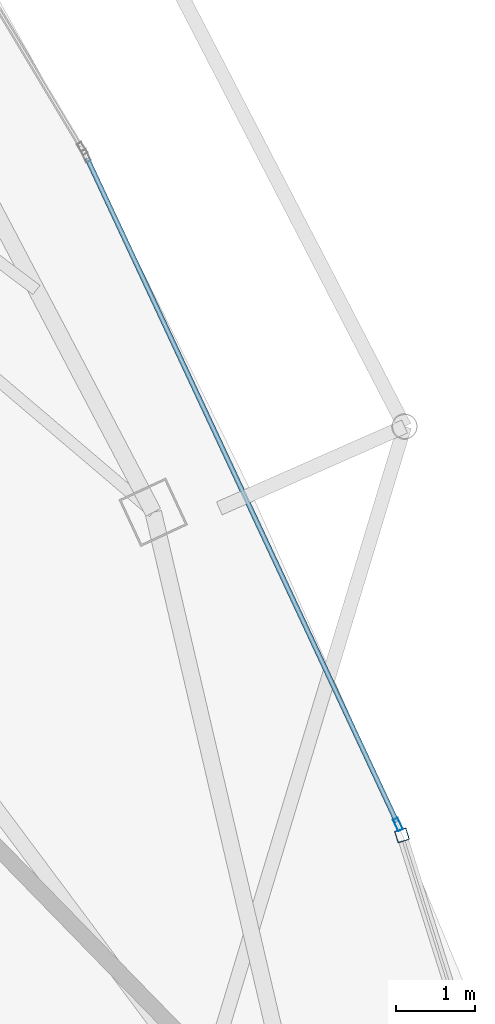
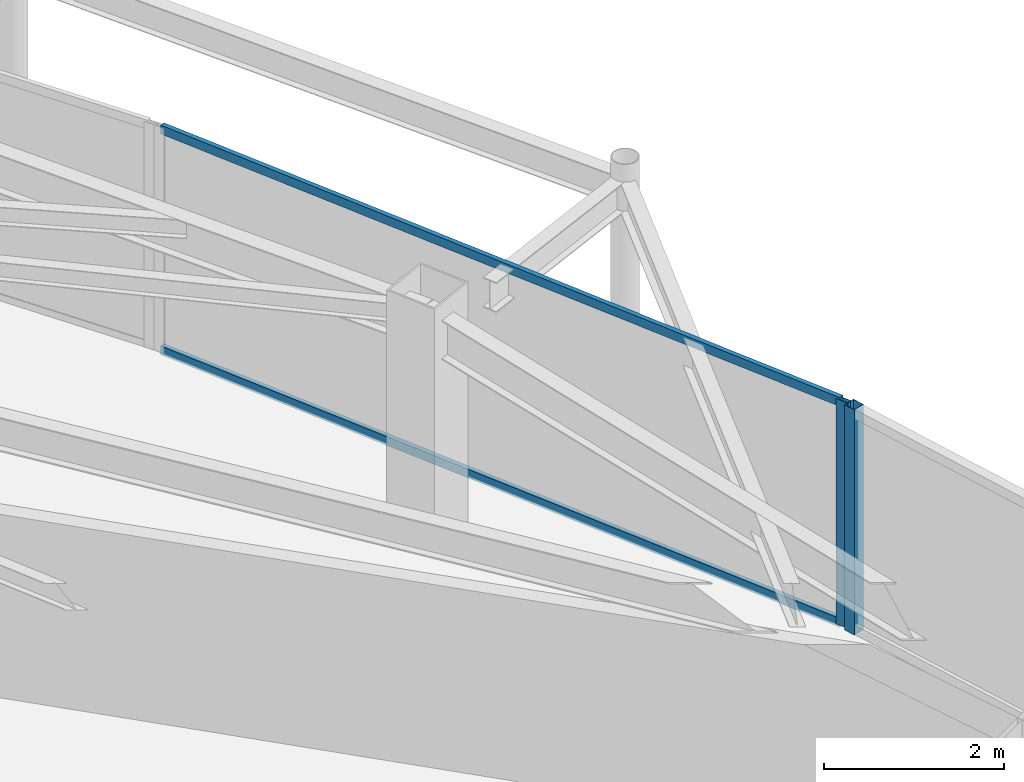
# One storey, part 16 of 30: 4 members, 2 elements without a shape of their own.
"""IFC4 building model written with IfcOpenShell, lengths in metres."""

from ifc_helpers import new_model, si_unit, direction, frame, origin, origin_2d, place, context, subcontext, project, spatial, hollow_rectangle, extrude, material, layer, layer_set, material_profile, profile_set, type_object, element, aggregate, save


model = new_model("IFC4")

# Units and contexts
model_context = context("Model", 3, precision=1e-05, world=origin(), true_north=direction((0.0, 1.0)))
body_context = subcontext(model_context, "Body", "Model", "MODEL_VIEW")
ifc_project = project(units=[si_unit("LENGTHUNIT", "METRE"), si_unit("AREAUNIT", "SQUARE_METRE"), si_unit("VOLUMEUNIT", "CUBIC_METRE"), si_unit("PLANEANGLEUNIT", "RADIAN"), si_unit("MASSUNIT", "GRAM", prefix="KILO")], contexts=[model_context])

# Site, building, storey
site_placement = place(None, origin())
site = spatial("IfcSite", under=ifc_project, at=site_placement, CompositionType="ELEMENT")
building_placement = place(site_placement, origin())
building = spatial("IfcBuilding", under=site, at=building_placement, Name="Orvanel Arch Residences", CompositionType="ELEMENT")
storey_placement = place(building_placement, frame((0.0, 0.0, 270.050048828125)))
storey = spatial("IfcBuildingStorey", under=building, at=storey_placement, Name="L77", CompositionType="ELEMENT", Elevation=270.050048828125)

# Curtain wall, member
ifc_material = material(Name="Bronze-anodised aluminium AA6063-T6", Category="aluminium")
ifc_layer_1 = layer(ifc_material, 0.18994140625)
ifc_layer_set_1 = layer_set([ifc_layer_1], Name="Bronze-anodised aluminium AA6063-T6")
curtain_wall_type_1 = type_object("IfcCurtainWallType", Name="CW5-CRN-SYS", PredefinedType="NOTDEFINED", material=ifc_layer_set_1)
curtain_wall_1_placement = place(storey_placement, origin())
curtain_wall_1 = element("IfcCurtainWall", 1, at=curtain_wall_1_placement, inside=storey, type_object=curtain_wall_type_1, Name="L77 CW5-CRN-SYS Unitised Curtain Wall", PredefinedType="NOTDEFINED")
ifc_material_profile_1 = material_profile(ifc_material, hollow_rectangle(XDim=0.14990234375, YDim=0.14990234375, WallThickness=0.0048828125, at=origin_2d()), Name="ALU150x150x5")
ifc_profile_set_1 = profile_set([ifc_material_profile_1], Name="Bronze-anodised aluminium AA6063-T6")
member_type_1 = type_object("IfcMemberType", Name="MUL-150x150", PredefinedType="MULLION", material=ifc_profile_set_1)
member_1_placement = place(storey_placement, frame((52.765625, 15.572509765625, 0.0), z_axis=(0.0, 0.0, 1.0), x_axis=(-0.953722136358, -0.300689352356, 0.0)))
member_1 = element("IfcMember", 2, at=member_1_placement, type_object=member_type_1, Name="CW-S5 mullion 2", PredefinedType="MULLION", context=body_context, shape_type="SweptSolid", body=[
    extrude(hollow_rectangle(XDim=0.14990234375, YDim=0.14990234375, WallThickness=0.0048828125, at=origin_2d()), origin(), (0.0, 0.0, 1.0), 3.06005859375),
])
aggregate(curtain_wall_1, [member_1])

# Curtain wall, members
ifc_layer_2 = layer(ifc_material, 0.175048828125)
ifc_layer_set_2 = layer_set([ifc_layer_2], Name="Bronze-anodised aluminium AA6063-T6")
curtain_wall_type_2 = type_object("IfcCurtainWallType", Name="CW4-HI-SYS", PredefinedType="NOTDEFINED", material=ifc_layer_set_2)
curtain_wall_2_placement = place(storey_placement, origin())
curtain_wall_2 = element("IfcCurtainWall", 3, at=curtain_wall_2_placement, inside=storey, type_object=curtain_wall_type_2, Name="L77 CW4-HI-SYS Unitised Curtain Wall", PredefinedType="NOTDEFINED")
ifc_material_profile_2 = material_profile(ifc_material, hollow_rectangle(XDim=0.06494140625, YDim=0.159912109375, WallThickness=0.00390625, at=origin_2d()), Name="ALU160x65x4")
ifc_profile_set_2 = profile_set([ifc_material_profile_2], Name="Bronze-anodised aluminium AA6063-T6")
member_type_2 = type_object("IfcMemberType", Name="MUL-160x65", PredefinedType="MULLION", material=ifc_profile_set_2)
member_2_placement = place(storey_placement, frame((52.71533203125, 15.71044921875, 0.0), z_axis=(0.0, 0.0, 1.0), x_axis=(-0.906196789885, -0.422856214336, 0.0)))
member_2 = element("IfcMember", 4, at=member_2_placement, type_object=member_type_2, Name="CW-S4 mullion 1", PredefinedType="MULLION", context=body_context, shape_type="SweptSolid", body=[
    extrude(hollow_rectangle(XDim=0.06494140625, YDim=0.159912109375, WallThickness=0.00390625, at=origin_2d()), origin(), (0.0, 0.0, 1.0), 3.06005859375),
])
ifc_material_profile_3 = material_profile(ifc_material, hollow_rectangle(XDim=0.06005859375, YDim=0.1201171875, WallThickness=0.00341796875, at=origin_2d()), Name="ALU120x60x3.5")
ifc_profile_set_3 = profile_set([ifc_material_profile_3], Name="Bronze-anodised aluminium AA6063-T6")
member_type_3 = type_object("IfcMemberType", Name="TRN-120x60", PredefinedType="USERDEFINED", material=ifc_profile_set_3)
member_3_placement = place(storey_placement, frame((52.701416015625, 15.739990234375, 0.030029296875), z_axis=(-0.422846357809, 0.906201389145, 0.0), x_axis=(-0.906201389145, -0.422846357809, 0.0)))
member_3 = element("IfcMember", 5, at=member_3_placement, type_object=member_type_3, Name="CW-S4 transom 1.1", ObjectType="TRANSOM", PredefinedType="USERDEFINED", context=body_context, shape_type="SweptSolid", body=[
    extrude(hollow_rectangle(XDim=0.06005859375, YDim=0.1201171875, WallThickness=0.00341796875, at=origin_2d()), origin(), (0.0, 0.0, 1.0), 9.2275390625),
])
member_4_placement = place(storey_placement, frame((52.701416015625, 15.739990234375, 3.030029296875), z_axis=(-0.422846357809, 0.906201389145, 0.0), x_axis=(-0.906201389145, -0.422846357809, 0.0)))
member_4 = element("IfcMember", 6, at=member_4_placement, type_object=member_type_3, Name="CW-S4 transom 1.2", ObjectType="TRANSOM", PredefinedType="USERDEFINED", context=body_context, shape_type="SweptSolid", body=[
    extrude(hollow_rectangle(XDim=0.06005859375, YDim=0.1201171875, WallThickness=0.00341796875, at=origin_2d()), origin(), (0.0, 0.0, 1.0), 9.2275390625),
])
aggregate(curtain_wall_2, [member_2, member_3, member_4])

save(model, "model.ifc")
